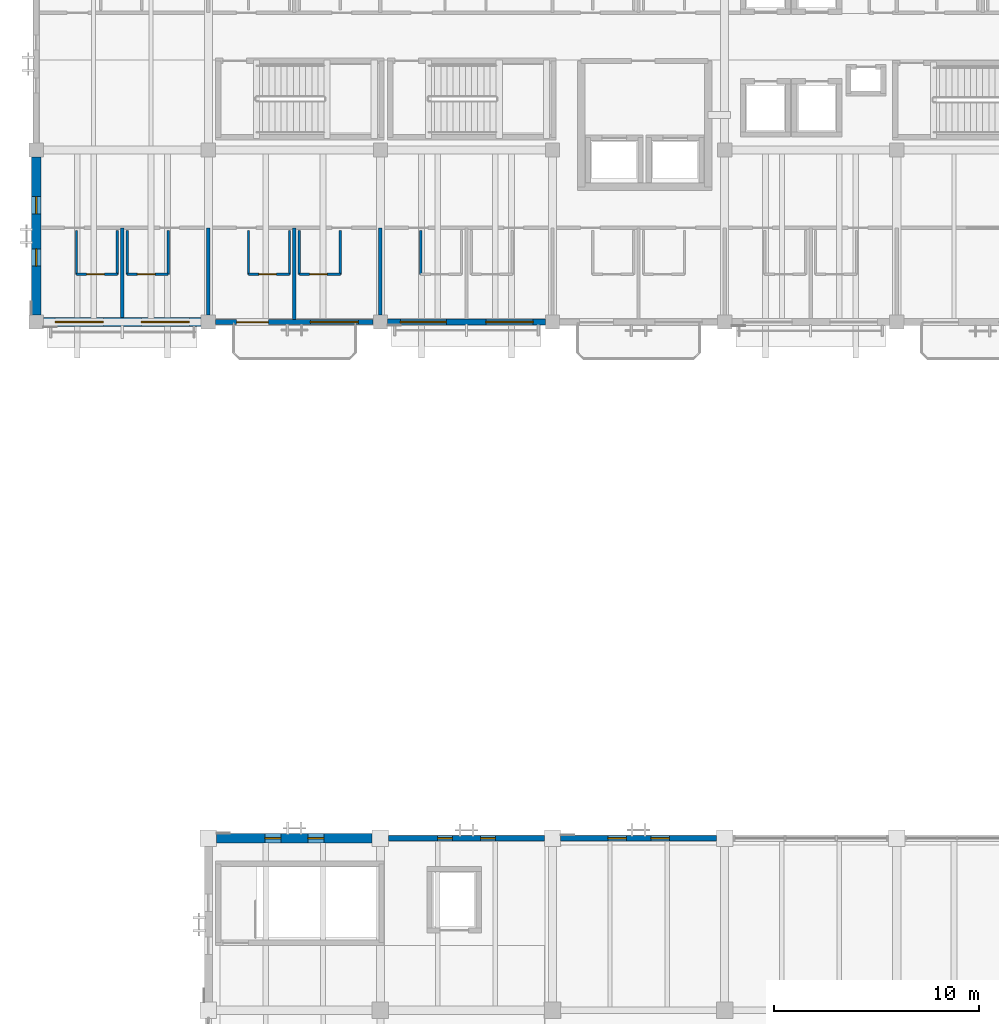
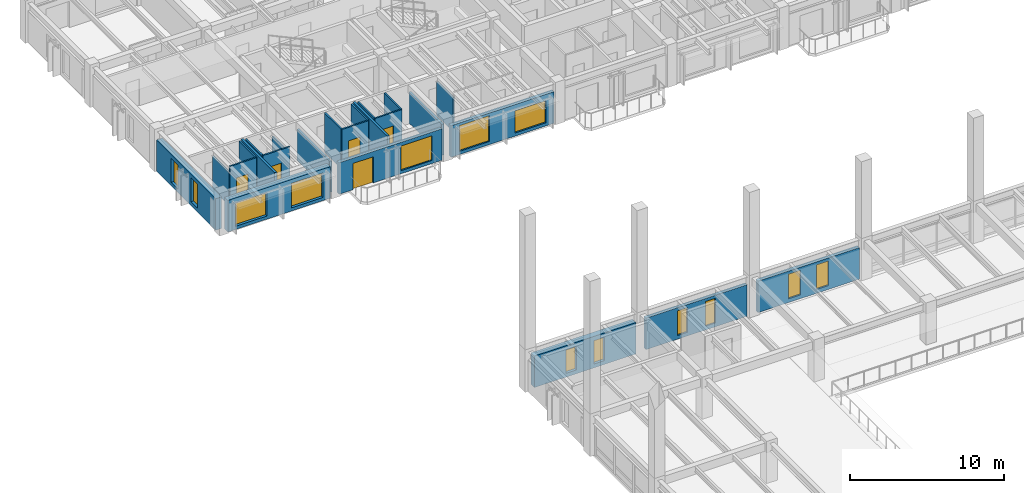
# One storey, part 33 of 64: 24 walls, 13 windows, 5 doors, 18 openings.
"""IFC4 building model written with IfcOpenShell, lengths in metres."""

from ifc_helpers import new_model, si_unit, direction, frame, frame_2d, origin, place, context, subcontext, project, spatial, rectangle, extrude, material, layer, layer_set, type_object, element, fill, save


model = new_model("IFC4")

# Units and contexts
model_context = context("Model", 3, precision=1e-05, world=origin(), true_north=direction((0.0, 1.0)))
body_context = subcontext(model_context, "Body", "Model", "MODEL_VIEW")
ifc_project = project(units=[si_unit("LENGTHUNIT", "METRE"), si_unit("AREAUNIT", "SQUARE_METRE"), si_unit("VOLUMEUNIT", "CUBIC_METRE"), si_unit("PLANEANGLEUNIT", "RADIAN"), si_unit("MASSUNIT", "GRAM", prefix="KILO")], contexts=[model_context])

# Site, building, storey
site_placement = place(None, origin())
site = spatial("IfcSite", under=ifc_project, at=site_placement, CompositionType="ELEMENT")
building_placement = place(site_placement, origin())
building = spatial("IfcBuilding", under=site, at=building_placement, Name="Cumbredor Promenade Congress Hotel", CompositionType="ELEMENT")
storey_placement = place(building_placement, frame((0.0, 0.0, 18.47998046875)))
storey = spatial("IfcBuildingStorey", under=building, at=storey_placement, Name="L05", CompositionType="ELEMENT", Elevation=18.47998046875)

# Wall, opening, door
ifc_material_1 = material(Name="Moisture-resistant gypsum board on steel studs", Category="steel")
ifc_layer_1 = layer(ifc_material_1, 0.114990234375, Name="Moisture-resistant gypsum board on steel studs", Category="steel")
ifc_layer_set_1 = layer_set([ifc_layer_1], Name="Moisture-resistant gypsum board on steel studs")
wall_type_1 = type_object("IfcWallType", Name="WL-BATH-115", PredefinedType="PARTITIONING", material=ifc_layer_set_1)
wall_1_placement = place(storey_placement, frame((1.9599609375, 94.72998046875, 0.0), z_axis=(0.0, 0.0, 1.0), x_axis=(1.0, 0.0, 0.0)))
wall_1 = element("IfcWall", 1, at=wall_1_placement, inside=storey, type_object=wall_type_1, Name="L05 Interior Partition W-L05-BH-0571", PredefinedType="PARTITIONING", context=body_context, shape_type="SweptSolid", body=[
    extrude(rectangle(XDim=2.0, YDim=0.114990234375, at=frame_2d((1.0, 0.0))), origin(), (0.0, 0.0, 1.0), 3.1201171875),
])
opening_1_placement = place(wall_1_placement, frame((0.5, 0.0, 0.0)))
opening_1 = element("IfcOpeningElement", 2, at=opening_1_placement, cuts=wall_1, Name="Opening ID-01", PredefinedType="OPENING", context=body_context, shape_type="SweptSolid", body=[
    extrude(rectangle(XDim=0.860107421875, YDim=2.050048828125, at=frame_2d((0.43017578125, 1.02490234375))), frame((0.0, 0.0673828125, 0.0), z_axis=(0.0, -1.0, 0.0), x_axis=(1.0, 0.0, 0.0)), (0.0, 0.0, 1.0), 0.135009765625),
])
ifc_material_2 = material(Name="Kiln-dried tropical hardwood", Category="wood")
door_type_1 = type_object("IfcDoorType", Name="DR-BATH-860", OperationType="NOTDEFINED", PredefinedType="DOOR", material=ifc_material_2)
door_1_placement = place(opening_1_placement, origin())
door_1 = element("IfcDoor", 3, at=door_1_placement, inside=storey, type_object=door_type_1, Name="L05 Interior Door W-L05-BH-0571-01", OperationType="SINGLE_SWING_LEFT", OverallHeight=2.050048828125, OverallWidth=0.860107421875, PredefinedType="DOOR", context=body_context, shape_type="SweptSolid", body=[
    extrude(rectangle(XDim=0.860107421875, YDim=2.050048828125, at=frame_2d((0.43017578125, 1.02490234375))), frame((0.0, 0.02490234375, 0.0), z_axis=(0.0, -1.0, 0.0), x_axis=(1.0, 0.0, 0.0)), (0.0, 0.0, 1.0), 0.050048828125),
])
fill(opening_1, door_1)

# Walls
wall_2_placement = place(storey_placement, frame((1.9599609375, 94.72998046875, 0.0), z_axis=(0.0, 0.0, 1.0), x_axis=(0.0, 1.0, 0.0)))
element("IfcWall", 4, at=wall_2_placement, inside=storey, type_object=wall_type_1, Name="L05 Interior Partition W-L05-BV1-0571", PredefinedType="PARTITIONING", context=body_context, shape_type="SweptSolid", body=[
    extrude(rectangle(XDim=2.14990234375, YDim=0.114990234375, at=frame_2d((1.074951171875, 0.0))), origin(), (0.0, 0.0, 1.0), 2.64208984375),
])
wall_3_placement = place(storey_placement, frame((3.9599609375, 94.72998046875, 0.0), z_axis=(0.0, 0.0, 1.0), x_axis=(0.0, 1.0, 0.0)))
element("IfcWall", 5, at=wall_3_placement, inside=storey, type_object=wall_type_1, Name="L05 Interior Partition W-L05-BV2-0571", PredefinedType="PARTITIONING", context=body_context, shape_type="SweptSolid", body=[
    extrude(rectangle(XDim=2.14990234375, YDim=0.114990234375, at=frame_2d((1.074951171875, 0.0))), origin(), (0.0, 0.0, 1.0), 3.1201171875),
])

# Wall, opening, door
wall_4_placement = place(storey_placement, frame((4.43994140625, 94.72998046875, 0.0), z_axis=(0.0, 0.0, 1.0), x_axis=(1.0, 0.0, 0.0)))
wall_4 = element("IfcWall", 6, at=wall_4_placement, inside=storey, type_object=wall_type_1, Name="L05 Interior Partition W-L05-BH-0572", PredefinedType="PARTITIONING", context=body_context, shape_type="SweptSolid", body=[
    extrude(rectangle(XDim=2.0, YDim=0.114990234375, at=frame_2d((1.0, 0.0))), origin(), (0.0, 0.0, 1.0), 3.1201171875),
])
opening_2_placement = place(wall_4_placement, frame((0.5, 0.0, 0.0)))
opening_2 = element("IfcOpeningElement", 7, at=opening_2_placement, cuts=wall_4, Name="Opening ID-01", PredefinedType="OPENING", context=body_context, shape_type="SweptSolid", body=[
    extrude(rectangle(XDim=0.860107421875, YDim=2.050048828125, at=frame_2d((0.43017578125, 1.02490234375))), frame((0.0, 0.0673828125, 0.0), z_axis=(0.0, -1.0, 0.0), x_axis=(1.0, 0.0, 0.0)), (0.0, 0.0, 1.0), 0.135009765625),
])
door_2_placement = place(opening_2_placement, origin())
door_2 = element("IfcDoor", 8, at=door_2_placement, inside=storey, type_object=door_type_1, Name="L05 Interior Door W-L05-BH-0572-01", OperationType="SINGLE_SWING_RIGHT", OverallHeight=2.050048828125, OverallWidth=0.860107421875, PredefinedType="DOOR", context=body_context, shape_type="SweptSolid", body=[
    extrude(rectangle(XDim=0.860107421875, YDim=2.050048828125, at=frame_2d((0.43017578125, 1.02490234375))), frame((0.0, 0.02490234375, 0.0), z_axis=(0.0, -1.0, 0.0), x_axis=(1.0, 0.0, 0.0)), (0.0, 0.0, 1.0), 0.050048828125),
])
fill(opening_2, door_2)

# Walls
wall_5_placement = place(storey_placement, frame((4.43994140625, 94.72998046875, 0.0), z_axis=(0.0, 0.0, 1.0), x_axis=(0.0, 1.0, 0.0)))
element("IfcWall", 9, at=wall_5_placement, inside=storey, type_object=wall_type_1, Name="L05 Interior Partition W-L05-BV1-0572", PredefinedType="PARTITIONING", context=body_context, shape_type="SweptSolid", body=[
    extrude(rectangle(XDim=2.14990234375, YDim=0.114990234375, at=frame_2d((1.074951171875, 0.0))), origin(), (0.0, 0.0, 1.0), 3.1201171875),
])
wall_6_placement = place(storey_placement, frame((6.43994140625, 94.72998046875, 0.0), z_axis=(0.0, 0.0, 1.0), x_axis=(0.0, 1.0, 0.0)))
element("IfcWall", 10, at=wall_6_placement, inside=storey, type_object=wall_type_1, Name="L05 Interior Partition W-L05-BV2-0572", PredefinedType="PARTITIONING", context=body_context, shape_type="SweptSolid", body=[
    extrude(rectangle(XDim=2.14990234375, YDim=0.114990234375, at=frame_2d((1.074951171875, 0.0))), origin(), (0.0, 0.0, 1.0), 2.64208984375),
])

# Wall, opening, door
wall_7_placement = place(storey_placement, frame((10.360107421875, 94.72998046875, 0.0), z_axis=(0.0, 0.0, 1.0), x_axis=(1.0, 0.0, 0.0)))
wall_7 = element("IfcWall", 11, at=wall_7_placement, inside=storey, type_object=wall_type_1, Name="L05 Interior Partition W-L05-BH-0573", PredefinedType="PARTITIONING", context=body_context, shape_type="SweptSolid", body=[
    extrude(rectangle(XDim=2.0, YDim=0.114990234375, at=frame_2d((1.0, 0.0))), origin(), (0.0, 0.0, 1.0), 3.1201171875),
])
opening_3_placement = place(wall_7_placement, frame((0.5, 0.0, 0.0)))
opening_3 = element("IfcOpeningElement", 12, at=opening_3_placement, cuts=wall_7, Name="Opening ID-01", PredefinedType="OPENING", context=body_context, shape_type="SweptSolid", body=[
    extrude(rectangle(XDim=0.860107421875, YDim=2.050048828125, at=frame_2d((0.43017578125, 1.02490234375))), frame((0.0, 0.0673828125, 0.0), z_axis=(0.0, -1.0, 0.0), x_axis=(1.0, 0.0, 0.0)), (0.0, 0.0, 1.0), 0.135009765625),
])
door_3_placement = place(opening_3_placement, origin())
door_3 = element("IfcDoor", 13, at=door_3_placement, inside=storey, type_object=door_type_1, Name="L05 Interior Door W-L05-BH-0573-01", OperationType="SINGLE_SWING_LEFT", OverallHeight=2.050048828125, OverallWidth=0.860107421875, PredefinedType="DOOR", context=body_context, shape_type="SweptSolid", body=[
    extrude(rectangle(XDim=0.860107421875, YDim=2.050048828125, at=frame_2d((0.43017578125, 1.02490234375))), frame((0.0, 0.02490234375, 0.0), z_axis=(0.0, -1.0, 0.0), x_axis=(1.0, 0.0, 0.0)), (0.0, 0.0, 1.0), 0.050048828125),
])
fill(opening_3, door_3)

# Walls
for number, where, z_axis, x_axis, name in (
    (14, (10.360107421875, 94.72998046875, 0.0), (0.0, 0.0, 1.0), (0.0, 1.0, 0.0), "L05 Interior Partition W-L05-BV1-0573"),
    (15, (12.360107421875, 94.72998046875, 0.0), (0.0, 0.0, 1.0), (0.0, 1.0, 0.0), "L05 Interior Partition W-L05-BV2-0573"),
):
    element("IfcWall", number, at=place(storey_placement, frame(where, z_axis=z_axis, x_axis=x_axis)), inside=storey, type_object=wall_type_1, Name=name, PredefinedType="PARTITIONING", context=body_context, shape_type="SweptSolid", body=[
        extrude(rectangle(XDim=2.14990234375, YDim=0.114990234375, at=frame_2d((1.074951171875, 0.0))), origin(), (0.0, 0.0, 1.0), 3.1201171875),
    ])

# Wall, opening, door
wall_8_placement = place(storey_placement, frame((12.840087890625, 94.72998046875, 0.0), z_axis=(0.0, 0.0, 1.0), x_axis=(1.0, 0.0, 0.0)))
wall_8 = element("IfcWall", 16, at=wall_8_placement, inside=storey, type_object=wall_type_1, Name="L05 Interior Partition W-L05-BH-0574", PredefinedType="PARTITIONING", context=body_context, shape_type="SweptSolid", body=[
    extrude(rectangle(XDim=2.0, YDim=0.114990234375, at=frame_2d((1.0, 0.0))), origin(), (0.0, 0.0, 1.0), 3.1201171875),
])
opening_4_placement = place(wall_8_placement, frame((0.5, 0.0, 0.0)))
opening_4 = element("IfcOpeningElement", 17, at=opening_4_placement, cuts=wall_8, Name="Opening ID-01", PredefinedType="OPENING", context=body_context, shape_type="SweptSolid", body=[
    extrude(rectangle(XDim=0.860107421875, YDim=2.050048828125, at=frame_2d((0.43017578125, 1.02490234375))), frame((0.0, 0.0673828125, 0.0), z_axis=(0.0, -1.0, 0.0), x_axis=(1.0, 0.0, 0.0)), (0.0, 0.0, 1.0), 0.135009765625),
])
door_4_placement = place(opening_4_placement, origin())
door_4 = element("IfcDoor", 18, at=door_4_placement, inside=storey, type_object=door_type_1, Name="L05 Interior Door W-L05-BH-0574-01", OperationType="SINGLE_SWING_RIGHT", OverallHeight=2.050048828125, OverallWidth=0.860107421875, PredefinedType="DOOR", context=body_context, shape_type="SweptSolid", body=[
    extrude(rectangle(XDim=0.860107421875, YDim=2.050048828125, at=frame_2d((0.43017578125, 1.02490234375))), frame((0.0, 0.02490234375, 0.0), z_axis=(0.0, -1.0, 0.0), x_axis=(1.0, 0.0, 0.0)), (0.0, 0.0, 1.0), 0.050048828125),
])
fill(opening_4, door_4)

# Walls
for number, where, z_axis, x_axis, name in (
    (19, (12.840087890625, 94.72998046875, 0.0), (0.0, 0.0, 1.0), (0.0, 1.0, 0.0), "L05 Interior Partition W-L05-BV1-0574"),
    (20, (14.840087890625, 94.72998046875, 0.0), (0.0, 0.0, 1.0), (0.0, 1.0, 0.0), "L05 Interior Partition W-L05-BV2-0574"),
):
    element("IfcWall", number, at=place(storey_placement, frame(where, z_axis=z_axis, x_axis=x_axis)), inside=storey, type_object=wall_type_1, Name=name, PredefinedType="PARTITIONING", context=body_context, shape_type="SweptSolid", body=[
        extrude(rectangle(XDim=2.14990234375, YDim=0.114990234375, at=frame_2d((1.074951171875, 0.0))), origin(), (0.0, 0.0, 1.0), 3.1201171875),
    ])
wall_9_placement = place(storey_placement, frame((18.760009765625, 94.72998046875, 0.0), z_axis=(0.0, 0.0, 1.0), x_axis=(0.0, 1.0, 0.0)))
element("IfcWall", 21, at=wall_9_placement, inside=storey, type_object=wall_type_1, Name="L05 Interior Partition W-L05-BV1-0575", PredefinedType="PARTITIONING", context=body_context, shape_type="SweptSolid", body=[
    extrude(rectangle(XDim=2.14990234375, YDim=0.114990234375, at=frame_2d((1.074951171875, 0.0))), origin(), (0.0, 0.0, 1.0), 2.64208984375),
])

# Wall, openings, windows
ifc_material_3 = material(Name="Concrete C40/50", Category="concrete")
ifc_layer_2 = layer(ifc_material_3, 0.260009765625, Name="Concrete C40/50", Category="concrete")
ifc_layer_set_2 = layer_set([ifc_layer_2], Name="Concrete C40/50")
wall_type_2 = type_object("IfcWallType", Name="WL-EXT-260", PredefinedType="SOLIDWALL", material=ifc_layer_set_2)
wall_10_placement = place(storey_placement, frame((17.200927734375, 67.199951171875, 0.0), z_axis=(0.0, 0.0, 1.0), x_axis=(1.0, 0.0, 0.0)))
wall_10 = element("IfcWall", 22, at=wall_10_placement, inside=storey, type_object=wall_type_2, Name="L05 Plenary Congress Hall North Envelope Wall 2", PredefinedType="SOLIDWALL", context=body_context, shape_type="SweptSolid", body=[
    extrude(rectangle(XDim=7.59814453125, YDim=0.260009765625, at=frame_2d((3.799072265625, 0.0))), origin(), (0.0, 0.0, 1.0), 2.494140625),
])
opening_5_placement = place(wall_10_placement, frame((2.388916015625, 0.0, 0.300048828125)))
opening_5 = element("IfcOpeningElement", 23, at=opening_5_placement, cuts=wall_10, Name="Opening WN-49", PredefinedType="OPENING", context=body_context, shape_type="SweptSolid", body=[
    extrude(rectangle(XDim=0.719970703125, YDim=1.949951171875, at=frame_2d((0.35986328125, 0.97509765625))), frame((0.0, 0.14013671875, 0.0), z_axis=(0.0, -1.0, 0.0), x_axis=(1.0, 0.0, 0.0)), (0.0, 0.0, 1.0), 0.280029296875),
])
opening_6_placement = place(wall_10_placement, frame((4.489013671875, 0.0, 0.300048828125)))
opening_6 = element("IfcOpeningElement", 24, at=opening_6_placement, cuts=wall_10, Name="Opening WN-49", PredefinedType="OPENING", context=body_context, shape_type="SweptSolid", body=[
    extrude(rectangle(XDim=0.719970703125, YDim=1.949951171875, at=frame_2d((0.35986328125, 0.97509765625))), frame((0.0, 0.14013671875, 0.0), z_axis=(0.0, -1.0, 0.0), x_axis=(1.0, 0.0, 0.0)), (0.0, 0.0, 1.0), 0.280029296875),
])
ifc_material_4 = material(Name="Thermally broken anodized aluminium and low-E glass", Category="aluminium")
window_type_1 = type_object("IfcWindowType", Name="Vertical Slot Window WN-49 720x1950", PartitioningType="SINGLE_PANEL", PredefinedType="WINDOW", material=ifc_material_4)
window_1_placement = place(opening_5_placement, origin())
window_1 = element("IfcWindow", 25, at=window_1_placement, inside=storey, type_object=window_type_1, Name="L05 Vertical Slot Window 0526", OverallHeight=1.949951171875, OverallWidth=0.719970703125, PartitioningType="SINGLE_PANEL", PredefinedType="WINDOW", context=body_context, shape_type="SweptSolid", body=[
    extrude(rectangle(XDim=0.719970703125, YDim=1.949951171875, at=frame_2d((0.35986328125, 0.97509765625))), frame((0.0, 0.030029296875, 0.0), z_axis=(0.0, -1.0, 0.0), x_axis=(1.0, 0.0, 0.0)), (0.0, 0.0, 1.0), 0.06005859375),
])
fill(opening_5, window_1)
window_2_placement = place(opening_6_placement, origin())
window_2 = element("IfcWindow", 26, at=window_2_placement, inside=storey, type_object=window_type_1, Name="L05 Vertical Slot Window 0527", OverallHeight=1.949951171875, OverallWidth=0.719970703125, PartitioningType="SINGLE_PANEL", PredefinedType="WINDOW", context=body_context, shape_type="SweptSolid", body=[
    extrude(rectangle(XDim=0.719970703125, YDim=1.949951171875, at=frame_2d((0.35986328125, 0.97509765625))), frame((0.0, 0.030029296875, 0.0), z_axis=(0.0, -1.0, 0.0), x_axis=(1.0, 0.0, 0.0)), (0.0, 0.0, 1.0), 0.06005859375),
])
fill(opening_6, window_2)

# Wall, openings, door, window
wall_11_placement = place(storey_placement, frame((8.7509765625, 92.39990234375, 0.0), z_axis=(0.0, 0.0, 1.0), x_axis=(1.0, 0.0, 0.0)))
wall_11 = element("IfcWall", 27, at=wall_11_placement, inside=storey, type_object=wall_type_2, Name="L05 Stepped Congress Hotel Wing South Envelope Wall 2", PredefinedType="SOLIDWALL", context=body_context, shape_type="SweptSolid", body=[
    extrude(rectangle(XDim=7.697998046875, YDim=0.260009765625, at=frame_2d((3.84912109375, 0.0))), origin(), (0.0, 0.0, 1.0), 2.494140625),
])
opening_7_placement = place(wall_11_placement, frame((1.02392578125, 0.0, 0.0)))
opening_7 = element("IfcOpeningElement", 28, at=opening_7_placement, cuts=wall_11, Name="Opening TD-01", PredefinedType="OPENING", context=body_context, shape_type="SweptSolid", body=[
    extrude(rectangle(XDim=1.550048828125, YDim=2.080078125, at=frame_2d((0.77490234375, 1.0400390625))), frame((0.0, 0.14013671875, 0.0), z_axis=(0.0, -1.0, 0.0), x_axis=(1.0, 0.0, 0.0)), (0.0, 0.0, 1.0), 0.280029296875),
])
opening_8_placement = place(wall_11_placement, frame((4.6240234375, 0.0, 0.25)))
opening_8 = element("IfcOpeningElement", 29, at=opening_8_placement, cuts=wall_11, Name="Opening WN-08", PredefinedType="OPENING", context=body_context, shape_type="SweptSolid", body=[
    extrude(rectangle(XDim=2.35009765625, YDim=1.949951171875, at=frame_2d((1.175048828125, 0.97509765625))), frame((0.0, 0.14013671875, 0.0), z_axis=(0.0, -1.0, 0.0), x_axis=(1.0, 0.0, 0.0)), (0.0, 0.0, 1.0), 0.280029296875),
])
ifc_material_5 = material(Name="Thermally broken anodized aluminium and laminated safety glass", Category="aluminium")
door_type_2 = type_object("IfcDoorType", Name="EXT-DR-TER-1550x2080", OperationType="DOUBLE_DOOR_SINGLE_SWING", PredefinedType="DOOR", material=ifc_material_5)
door_5_placement = place(opening_7_placement, frame((1.550048828125, 0.0, 0.0), z_axis=(0.0, 0.0, 1.0), x_axis=(-1.0, 0.0, 0.0)))
door_5 = element("IfcDoor", 30, at=door_5_placement, inside=storey, type_object=door_type_2, Name="L05 Guestroom Veranda Balcony Door 057", OperationType="DOUBLE_DOOR_SINGLE_SWING", OverallHeight=2.080078125, OverallWidth=1.550048828125, PredefinedType="DOOR", context=body_context, shape_type="SweptSolid", body=[
    extrude(rectangle(XDim=1.550048828125, YDim=2.080078125, at=frame_2d((0.77490234375, 1.0400390625))), frame((0.0, 0.02490234375, 0.0), z_axis=(0.0, -1.0, 0.0), x_axis=(1.0, 0.0, 0.0)), (0.0, 0.0, 1.0), 0.050048828125),
])
fill(opening_7, door_5)
window_type_2 = type_object("IfcWindowType", Name="Hospitality Floor-to-Ceiling Window WN-08 2350x1950", PartitioningType="DOUBLE_PANEL_VERTICAL", PredefinedType="WINDOW", material=ifc_material_4)
window_3_placement = place(opening_8_placement, origin())
window_3 = element("IfcWindow", 31, at=window_3_placement, inside=storey, type_object=window_type_2, Name="L05 Veranda Companion Floor-to-Ceiling Window 0544", OverallHeight=1.949951171875, OverallWidth=2.35009765625, PartitioningType="DOUBLE_PANEL_VERTICAL", PredefinedType="WINDOW", context=body_context, shape_type="SweptSolid", body=[
    extrude(rectangle(XDim=2.35009765625, YDim=1.949951171875, at=frame_2d((1.175048828125, 0.97509765625))), frame((0.0, 0.030029296875, 0.0), z_axis=(0.0, -1.0, 0.0), x_axis=(1.0, 0.0, 0.0)), (0.0, 0.0, 1.0), 0.06005859375),
])
fill(opening_8, window_3)

# Wall, openings, windows
ifc_layer_3 = layer(ifc_material_3, 0.280029296875, Name="Concrete C40/50", Category="concrete")
ifc_layer_set_3 = layer_set([ifc_layer_3], Name="Concrete C40/50")
wall_type_3 = type_object("IfcWallType", Name="WL-EXT-280", PredefinedType="SOLIDWALL", material=ifc_layer_set_3)
wall_12_placement = place(storey_placement, frame((25.60107421875, 67.199951171875, 0.0), z_axis=(0.0, 0.0, 1.0), x_axis=(1.0, 0.0, 0.0)))
wall_12 = element("IfcWall", 32, at=wall_12_placement, inside=storey, type_object=wall_type_3, Name="L05 Plenary Congress Hall North Envelope Wall 3", PredefinedType="SOLIDWALL", context=body_context, shape_type="SweptSolid", body=[
    extrude(rectangle(XDim=7.597900390625, YDim=0.280029296875, at=frame_2d((3.798828125, 0.0))), origin(), (0.0, 0.0, 1.0), 2.494140625),
])
opening_9_placement = place(wall_12_placement, frame((2.299072265625, 0.0, 0.300048828125)))
opening_9 = element("IfcOpeningElement", 33, at=opening_9_placement, cuts=wall_12, Name="Opening WN-52", PredefinedType="OPENING", context=body_context, shape_type="SweptSolid", body=[
    extrude(rectangle(XDim=0.89990234375, YDim=1.949951171875, at=frame_2d((0.449951171875, 0.97509765625))), frame((0.0, 0.14990234375, 0.0), z_axis=(0.0, -1.0, 0.0), x_axis=(1.0, 0.0, 0.0)), (0.0, 0.0, 1.0), 0.300048828125),
])
opening_10_placement = place(wall_12_placement, frame((4.39892578125, 0.0, 0.300048828125)))
opening_10 = element("IfcOpeningElement", 34, at=opening_10_placement, cuts=wall_12, Name="Opening WN-52", PredefinedType="OPENING", context=body_context, shape_type="SweptSolid", body=[
    extrude(rectangle(XDim=0.89990234375, YDim=1.949951171875, at=frame_2d((0.449951171875, 0.97509765625))), frame((0.0, 0.14990234375, 0.0), z_axis=(0.0, -1.0, 0.0), x_axis=(1.0, 0.0, 0.0)), (0.0, 0.0, 1.0), 0.300048828125),
])
window_type_3 = type_object("IfcWindowType", Name="Vertical Slot Window WN-52 900x1950", PartitioningType="SINGLE_PANEL", PredefinedType="WINDOW", material=ifc_material_4)
window_4_placement = place(opening_9_placement, origin())
window_4 = element("IfcWindow", 35, at=window_4_placement, inside=storey, type_object=window_type_3, Name="L05 Vertical Slot Window 0528", OverallHeight=1.949951171875, OverallWidth=0.89990234375, PartitioningType="SINGLE_PANEL", PredefinedType="WINDOW", context=body_context, shape_type="SweptSolid", body=[
    extrude(rectangle(XDim=0.89990234375, YDim=1.949951171875, at=frame_2d((0.449951171875, 0.97509765625))), frame((0.0, 0.030029296875, 0.0), z_axis=(0.0, -1.0, 0.0), x_axis=(1.0, 0.0, 0.0)), (0.0, 0.0, 1.0), 0.06005859375),
])
fill(opening_9, window_4)
window_5_placement = place(opening_10_placement, origin())
window_5 = element("IfcWindow", 36, at=window_5_placement, inside=storey, type_object=window_type_3, Name="L05 Vertical Slot Window 0529", OverallHeight=1.949951171875, OverallWidth=0.89990234375, PartitioningType="SINGLE_PANEL", PredefinedType="WINDOW", context=body_context, shape_type="SweptSolid", body=[
    extrude(rectangle(XDim=0.89990234375, YDim=1.949951171875, at=frame_2d((0.449951171875, 0.97509765625))), frame((0.0, 0.030029296875, 0.0), z_axis=(0.0, -1.0, 0.0), x_axis=(1.0, 0.0, 0.0)), (0.0, 0.0, 1.0), 0.06005859375),
])
fill(opening_10, window_5)

wall_13_placement = place(storey_placement, frame((17.15087890625, 92.39990234375, 0.0), z_axis=(0.0, 0.0, 1.0), x_axis=(1.0, 0.0, 0.0)))
wall_13 = element("IfcWall", 37, at=wall_13_placement, inside=storey, type_object=wall_type_3, Name="L05 Stepped Congress Hotel Wing South Envelope Wall 3", PredefinedType="SOLIDWALL", context=body_context, shape_type="SweptSolid", body=[
    extrude(rectangle(XDim=7.6982421875, YDim=0.280029296875, at=frame_2d((3.84912109375, 0.0))), origin(), (0.0, 0.0, 1.0), 2.494140625),
])
opening_11_placement = place(wall_13_placement, frame((0.6240234375, 0.0, 0.25)))
opening_11 = element("IfcOpeningElement", 38, at=opening_11_placement, cuts=wall_13, Name="Opening WN-13", PredefinedType="OPENING", context=body_context, shape_type="SweptSolid", body=[
    extrude(rectangle(XDim=2.25, YDim=2.050048828125, at=frame_2d((1.125, 1.02490234375))), frame((0.0, 0.14990234375, 0.0), z_axis=(0.0, -1.0, 0.0), x_axis=(1.0, 0.0, 0.0)), (0.0, 0.0, 1.0), 0.300048828125),
])
opening_12_placement = place(wall_13_placement, frame((4.799072265625, 0.0, 0.25)))
opening_12 = element("IfcOpeningElement", 39, at=opening_12_placement, cuts=wall_13, Name="Opening WN-25", PredefinedType="OPENING", context=body_context, shape_type="SweptSolid", body=[
    extrude(rectangle(XDim=2.300048828125, YDim=1.75, at=frame_2d((1.14990234375, 0.875))), frame((0.0, 0.14990234375, 0.0), z_axis=(0.0, -1.0, 0.0), x_axis=(1.0, 0.0, 0.0)), (0.0, 0.0, 1.0), 0.300048828125),
])
window_type_4 = type_object("IfcWindowType", Name="Hospitality Floor-to-Ceiling Window WN-13 2250x2050", PartitioningType="DOUBLE_PANEL_VERTICAL", PredefinedType="WINDOW", material=ifc_material_4)
window_6_placement = place(opening_11_placement, origin())
window_6 = element("IfcWindow", 40, at=window_6_placement, inside=storey, type_object=window_type_4, Name="L05 Wide Hospitality Window 0545", OverallHeight=2.050048828125, OverallWidth=2.25, PartitioningType="DOUBLE_PANEL_VERTICAL", PredefinedType="WINDOW", context=body_context, shape_type="SweptSolid", body=[
    extrude(rectangle(XDim=2.25, YDim=2.050048828125, at=frame_2d((1.125, 1.02490234375))), frame((0.0, 0.030029296875, 0.0), z_axis=(0.0, -1.0, 0.0), x_axis=(1.0, 0.0, 0.0)), (0.0, 0.0, 1.0), 0.06005859375),
])
fill(opening_11, window_6)
window_type_5 = type_object("IfcWindowType", Name="Hospitality Floor-to-Ceiling Window WN-25 2300x1750", PartitioningType="DOUBLE_PANEL_VERTICAL", PredefinedType="WINDOW", material=ifc_material_4)
window_7_placement = place(opening_12_placement, origin())
window_7 = element("IfcWindow", 41, at=window_7_placement, inside=storey, type_object=window_type_5, Name="L05 Wide Hospitality Window 0546", OverallHeight=1.75, OverallWidth=2.300048828125, PartitioningType="DOUBLE_PANEL_VERTICAL", PredefinedType="WINDOW", context=body_context, shape_type="SweptSolid", body=[
    extrude(rectangle(XDim=2.300048828125, YDim=1.75, at=frame_2d((1.14990234375, 0.875))), frame((0.0, 0.030029296875, 0.0), z_axis=(0.0, -1.0, 0.0), x_axis=(1.0, 0.0, 0.0)), (0.0, 0.0, 1.0), 0.06005859375),
])
fill(opening_12, window_7)

ifc_layer_4 = layer(ifc_material_3, 0.449951171875, Name="Concrete C40/50", Category="concrete")
ifc_layer_set_4 = layer_set([ifc_layer_4], Name="Concrete C40/50")
wall_type_4 = type_object("IfcWallType", Name="WL-EXT-450", PredefinedType="SOLIDWALL", material=ifc_layer_set_4)
wall_14_placement = place(storey_placement, frame((8.801025390625, 67.199951171875, 0.0), z_axis=(0.0, 0.0, 1.0), x_axis=(1.0, 0.0, 0.0)))
wall_14 = element("IfcWall", 42, at=wall_14_placement, inside=storey, type_object=wall_type_4, Name="L05 Plenary Congress Hall North Envelope Wall 1", PredefinedType="SOLIDWALL", context=body_context, shape_type="SweptSolid", body=[
    extrude(rectangle(XDim=7.597900390625, YDim=0.449951171875, at=frame_2d((3.798828125, 0.0))), origin(), (0.0, 0.0, 1.0), 2.494140625),
])
opening_13_placement = place(wall_14_placement, frame((2.35888671875, 0.0, 0.300048828125)))
opening_13 = element("IfcOpeningElement", 43, at=opening_13_placement, cuts=wall_14, Name="Opening WN-46", PredefinedType="OPENING", context=body_context, shape_type="SweptSolid", body=[
    extrude(rectangle(XDim=0.780029296875, YDim=1.85009765625, at=frame_2d((0.39013671875, 0.925048828125))), frame((0.0, 0.23486328125, 0.0), z_axis=(0.0, -1.0, 0.0), x_axis=(1.0, 0.0, 0.0)), (0.0, 0.0, 1.0), 0.469970703125),
])
opening_14_placement = place(wall_14_placement, frame((4.458984375, 0.0, 0.300048828125)))
opening_14 = element("IfcOpeningElement", 44, at=opening_14_placement, cuts=wall_14, Name="Opening WN-46", PredefinedType="OPENING", context=body_context, shape_type="SweptSolid", body=[
    extrude(rectangle(XDim=0.780029296875, YDim=1.85009765625, at=frame_2d((0.39013671875, 0.925048828125))), frame((0.0, 0.23486328125, 0.0), z_axis=(0.0, -1.0, 0.0), x_axis=(1.0, 0.0, 0.0)), (0.0, 0.0, 1.0), 0.469970703125),
])
window_type_6 = type_object("IfcWindowType", Name="Vertical Slot Window WN-46 780x1850", PartitioningType="SINGLE_PANEL", PredefinedType="WINDOW", material=ifc_material_4)
window_8_placement = place(opening_13_placement, origin())
window_8 = element("IfcWindow", 45, at=window_8_placement, inside=storey, type_object=window_type_6, Name="L05 Vertical Slot Window 0524", OverallHeight=1.85009765625, OverallWidth=0.780029296875, PartitioningType="SINGLE_PANEL", PredefinedType="WINDOW", context=body_context, shape_type="SweptSolid", body=[
    extrude(rectangle(XDim=0.780029296875, YDim=1.85009765625, at=frame_2d((0.39013671875, 0.925048828125))), frame((0.0, 0.030029296875, 0.0), z_axis=(0.0, -1.0, 0.0), x_axis=(1.0, 0.0, 0.0)), (0.0, 0.0, 1.0), 0.06005859375),
])
fill(opening_13, window_8)
window_9_placement = place(opening_14_placement, origin())
window_9 = element("IfcWindow", 46, at=window_9_placement, inside=storey, type_object=window_type_6, Name="L05 Vertical Slot Window 0525", OverallHeight=1.85009765625, OverallWidth=0.780029296875, PartitioningType="SINGLE_PANEL", PredefinedType="WINDOW", context=body_context, shape_type="SweptSolid", body=[
    extrude(rectangle(XDim=0.780029296875, YDim=1.85009765625, at=frame_2d((0.39013671875, 0.925048828125))), frame((0.0, 0.030029296875, 0.0), z_axis=(0.0, -1.0, 0.0), x_axis=(1.0, 0.0, 0.0)), (0.0, 0.0, 1.0), 0.06005859375),
])
fill(opening_14, window_9)

wall_15_placement = place(storey_placement, frame((0.35107421875, 92.39990234375, 0.0), z_axis=(0.0, 0.0, 1.0), x_axis=(1.0, 0.0, 0.0)))
wall_15 = element("IfcWall", 47, at=wall_15_placement, inside=storey, type_object=wall_type_4, Name="L05 Stepped Congress Hotel Wing South Envelope Wall 1", PredefinedType="SOLIDWALL", context=body_context, shape_type="SweptSolid", body=[
    extrude(rectangle(XDim=7.697998046875, YDim=0.449951171875, at=frame_2d((3.84912109375, 0.0))), origin(), (0.0, 0.0, 1.0), 2.494140625),
])
opening_15_placement = place(wall_15_placement, frame((0.573974609375, 0.0, 0.25)))
opening_15 = element("IfcOpeningElement", 48, at=opening_15_placement, cuts=wall_15, Name="Opening WN-02", PredefinedType="OPENING", context=body_context, shape_type="SweptSolid", body=[
    extrude(rectangle(XDim=2.35009765625, YDim=1.85009765625, at=frame_2d((1.175048828125, 0.925048828125))), frame((0.0, 0.23486328125, 0.0), z_axis=(0.0, -1.0, 0.0), x_axis=(1.0, 0.0, 0.0)), (0.0, 0.0, 1.0), 0.469970703125),
])
opening_16_placement = place(wall_15_placement, frame((4.77392578125, 0.0, 0.25)))
opening_16 = element("IfcOpeningElement", 49, at=opening_16_placement, cuts=wall_15, Name="Opening WN-08", PredefinedType="OPENING", context=body_context, shape_type="SweptSolid", body=[
    extrude(rectangle(XDim=2.35009765625, YDim=1.949951171875, at=frame_2d((1.175048828125, 0.97509765625))), frame((0.0, 0.23486328125, 0.0), z_axis=(0.0, -1.0, 0.0), x_axis=(1.0, 0.0, 0.0)), (0.0, 0.0, 1.0), 0.469970703125),
])
window_type_7 = type_object("IfcWindowType", Name="Hospitality Floor-to-Ceiling Window WN-02 2350x1850", PartitioningType="DOUBLE_PANEL_VERTICAL", PredefinedType="WINDOW", material=ifc_material_4)
window_10_placement = place(opening_15_placement, origin())
window_10 = element("IfcWindow", 50, at=window_10_placement, inside=storey, type_object=window_type_7, Name="L05 Wide Hospitality Window 0542", OverallHeight=1.85009765625, OverallWidth=2.35009765625, PartitioningType="DOUBLE_PANEL_VERTICAL", PredefinedType="WINDOW", context=body_context, shape_type="SweptSolid", body=[
    extrude(rectangle(XDim=2.35009765625, YDim=1.85009765625, at=frame_2d((1.175048828125, 0.925048828125))), frame((0.0, 0.030029296875, 0.0), z_axis=(0.0, -1.0, 0.0), x_axis=(1.0, 0.0, 0.0)), (0.0, 0.0, 1.0), 0.06005859375),
])
fill(opening_15, window_10)
window_11_placement = place(opening_16_placement, origin())
window_11 = element("IfcWindow", 51, at=window_11_placement, inside=storey, type_object=window_type_2, Name="L05 Wide Hospitality Window 0543", OverallHeight=1.949951171875, OverallWidth=2.35009765625, PartitioningType="DOUBLE_PANEL_VERTICAL", PredefinedType="WINDOW", context=body_context, shape_type="SweptSolid", body=[
    extrude(rectangle(XDim=2.35009765625, YDim=1.949951171875, at=frame_2d((1.175048828125, 0.97509765625))), frame((0.0, 0.030029296875, 0.0), z_axis=(0.0, -1.0, 0.0), x_axis=(1.0, 0.0, 0.0)), (0.0, 0.0, 1.0), 0.06005859375),
])
fill(opening_16, window_11)

wall_16_placement = place(storey_placement, frame((0.0, 92.7509765625, 0.0), z_axis=(0.0, 0.0, 1.0), x_axis=(0.0, 1.0, 0.0)))
wall_16 = element("IfcWall", 52, at=wall_16_placement, inside=storey, type_object=wall_type_4, Name="L05 Stepped Congress Hotel Wing West Envelope Wall 1", PredefinedType="SOLIDWALL", context=body_context, shape_type="SweptSolid", body=[
    extrude(rectangle(XDim=7.697998046875, YDim=0.449951171875, at=frame_2d((3.84912109375, 0.0))), origin(), (0.0, 0.0, 1.0), 2.494140625),
])
opening_17_placement = place(wall_16_placement, frame((2.3740234375, 0.0, 0.300048828125)))
opening_17 = element("IfcOpeningElement", 53, at=opening_17_placement, cuts=wall_16, Name="Opening WN-67", PredefinedType="OPENING", context=body_context, shape_type="SweptSolid", body=[
    extrude(rectangle(XDim=0.85009765625, YDim=1.89990234375, at=frame_2d((0.425048828125, 0.949951171875))), frame((0.0, 0.23486328125, 0.0), z_axis=(0.0, -1.0, 0.0), x_axis=(1.0, 0.0, 0.0)), (0.0, 0.0, 1.0), 0.469970703125),
])
opening_18_placement = place(wall_16_placement, frame((4.924072265625, 0.0, 0.300048828125)))
opening_18 = element("IfcOpeningElement", 54, at=opening_18_placement, cuts=wall_16, Name="Opening WN-67", PredefinedType="OPENING", context=body_context, shape_type="SweptSolid", body=[
    extrude(rectangle(XDim=0.85009765625, YDim=1.89990234375, at=frame_2d((0.425048828125, 0.949951171875))), frame((0.0, 0.23486328125, 0.0), z_axis=(0.0, -1.0, 0.0), x_axis=(1.0, 0.0, 0.0)), (0.0, 0.0, 1.0), 0.469970703125),
])
window_type_8 = type_object("IfcWindowType", Name="Vertical Slot Window WN-67 850x1900", PartitioningType="SINGLE_PANEL", PredefinedType="WINDOW", material=ifc_material_4)
window_12_placement = place(opening_17_placement, origin())
window_12 = element("IfcWindow", 55, at=window_12_placement, inside=storey, type_object=window_type_8, Name="L05 Vertical Slot Window 0571", OverallHeight=1.89990234375, OverallWidth=0.85009765625, PartitioningType="SINGLE_PANEL", PredefinedType="WINDOW", context=body_context, shape_type="SweptSolid", body=[
    extrude(rectangle(XDim=0.85009765625, YDim=1.89990234375, at=frame_2d((0.425048828125, 0.949951171875))), frame((0.0, 0.030029296875, 0.0), z_axis=(0.0, -1.0, 0.0), x_axis=(1.0, 0.0, 0.0)), (0.0, 0.0, 1.0), 0.06005859375),
])
fill(opening_17, window_12)
window_13_placement = place(opening_18_placement, origin())
window_13 = element("IfcWindow", 56, at=window_13_placement, inside=storey, type_object=window_type_8, Name="L05 Vertical Slot Window 0572", OverallHeight=1.89990234375, OverallWidth=0.85009765625, PartitioningType="SINGLE_PANEL", PredefinedType="WINDOW", context=body_context, shape_type="SweptSolid", body=[
    extrude(rectangle(XDim=0.85009765625, YDim=1.89990234375, at=frame_2d((0.425048828125, 0.949951171875))), frame((0.0, 0.030029296875, 0.0), z_axis=(0.0, -1.0, 0.0), x_axis=(1.0, 0.0, 0.0)), (0.0, 0.0, 1.0), 0.06005859375),
])
fill(opening_18, window_13)

# Walls
ifc_material_6 = material(Name="Fire-rated acoustic double-stud partition")
ifc_layer_5 = layer(ifc_material_6, 0.1650390625, Name="Fire-rated acoustic double-stud partition")
ifc_layer_set_5 = layer_set([ifc_layer_5], Name="Fire-rated acoustic double-stud partition")
wall_type_5 = type_object("IfcWallType", Name="WL-UNIT-165", PredefinedType="PARTITIONING", material=ifc_layer_set_5)
wall_17_placement = place(storey_placement, frame((4.199951171875, 92.625, 0.0), z_axis=(0.0, 0.0, 1.0), x_axis=(0.0, 1.0, 0.0)))
element("IfcWall", 57, at=wall_17_placement, inside=storey, type_object=wall_type_5, Name="L05 Interior Partition W-L05-SC-DIV-0-M", PredefinedType="PARTITIONING", context=body_context, shape_type="SweptSolid", body=[
    extrude(rectangle(XDim=4.375, YDim=0.1650390625, at=frame_2d((2.1875, 0.0))), origin(), (0.0, 0.0, 1.0), 3.1201171875),
])
wall_18_placement = place(storey_placement, frame((12.60009765625, 92.530029296875, 0.0), z_axis=(0.0, 0.0, 1.0), x_axis=(0.0, 1.0, 0.0)))
element("IfcWall", 58, at=wall_18_placement, inside=storey, type_object=wall_type_5, Name="L05 Interior Partition W-L05-SC-DIV-1-M", PredefinedType="PARTITIONING", context=body_context, shape_type="SweptSolid", body=[
    extrude(rectangle(XDim=4.469970703125, YDim=0.1650390625, at=frame_2d((2.23486328125, 0.0))), origin(), (0.0, 0.0, 1.0), 3.1201171875),
])
for number, where, z_axis, x_axis, name in (
    (59, (8.39990234375, 92.75, 0.0), (0.0, 0.0, 1.0), (0.0, 1.0, 0.0), "L05 Interior Partition W-L05-SC-DIV-1-G"),
    (60, (16.800048828125, 92.75, 0.0), (0.0, 0.0, 1.0), (0.0, 1.0, 0.0), "L05 Interior Partition W-L05-SC-DIV-2-G"),
):
    element("IfcWall", number, at=place(storey_placement, frame(where, z_axis=z_axis, x_axis=x_axis)), inside=storey, type_object=wall_type_5, Name=name, PredefinedType="PARTITIONING", context=body_context, shape_type="SweptSolid", body=[
        extrude(rectangle(XDim=4.25, YDim=0.1650390625, at=frame_2d((2.125, 0.0))), origin(), (0.0, 0.0, 1.0), 2.455078125),
    ])

save(model, "model.ifc")
